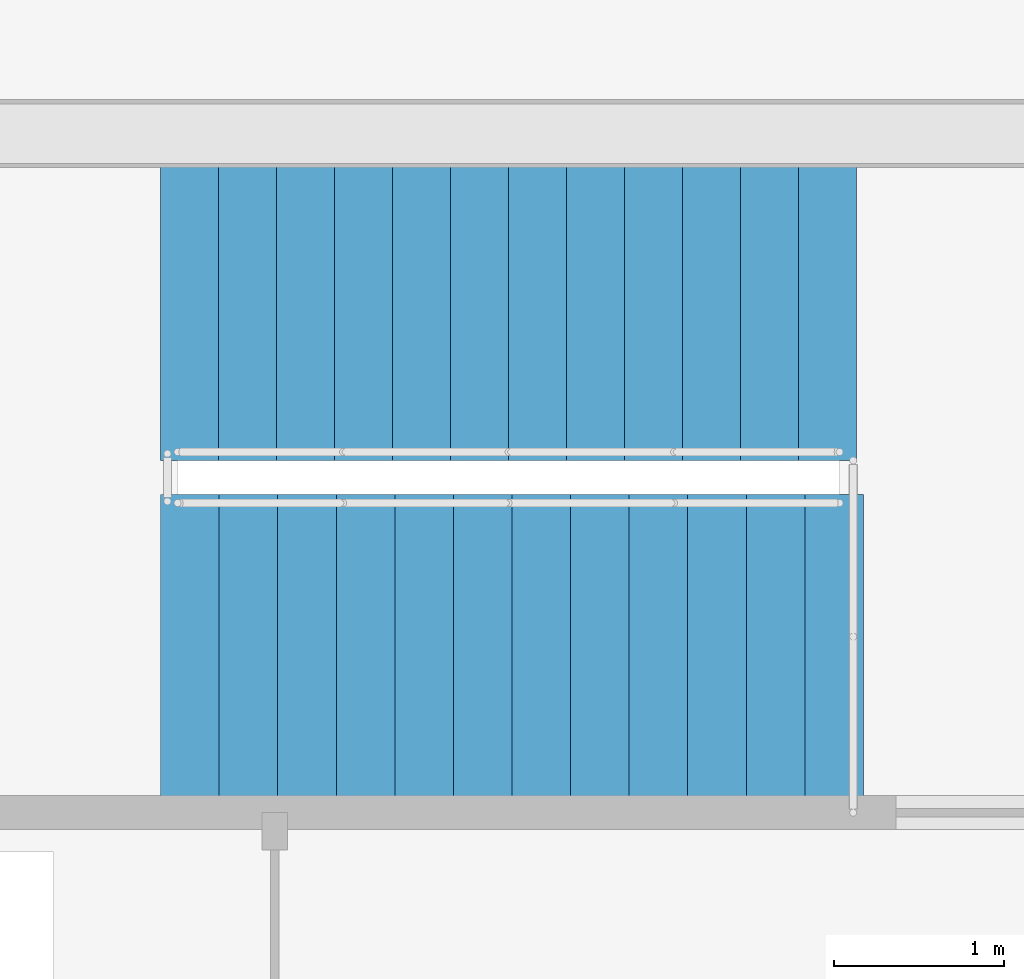
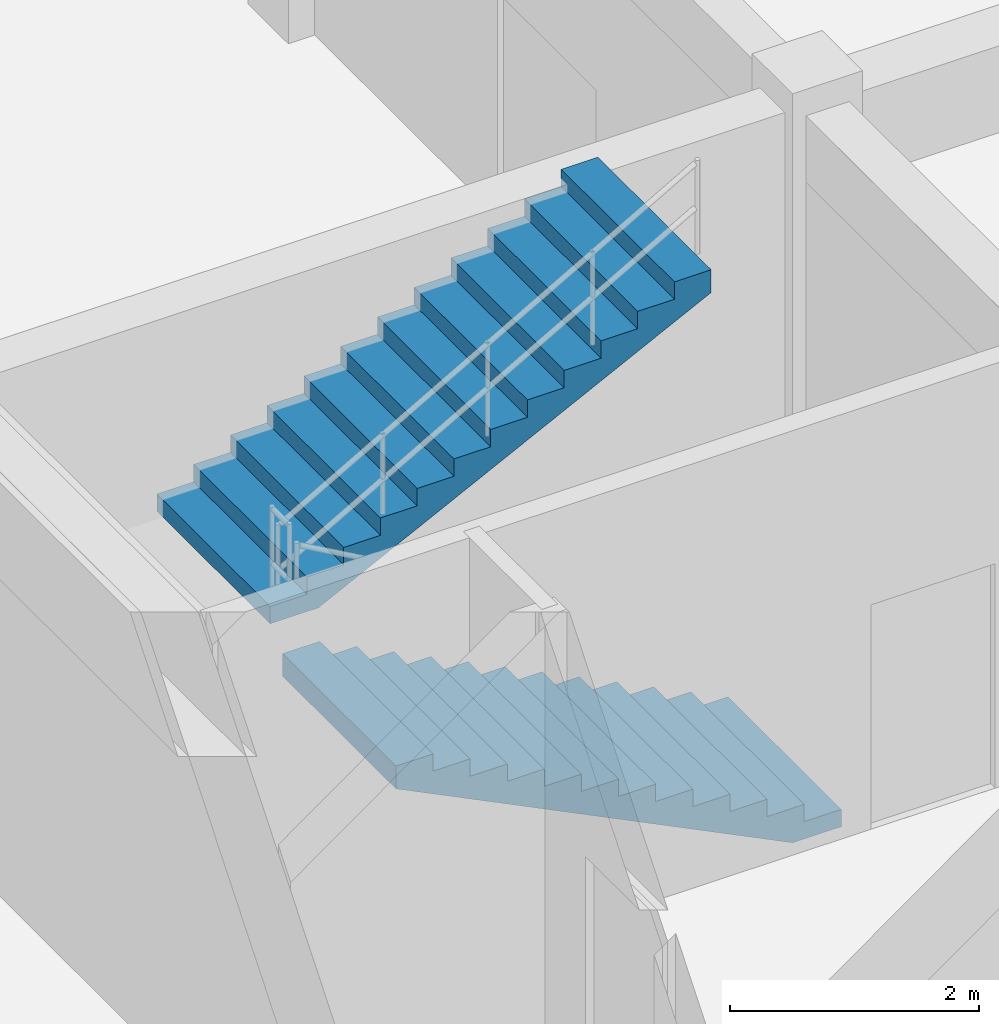
# One storey, part 33 of 40: 2 stair flights, 1 element without a shape of its own.
"""IFC4 building model written with IfcOpenShell, lengths in metres."""

from ifc_helpers import new_model, si_unit, direction, frame, origin, place, context, subcontext, project, spatial, polyline, outline, extrude, material, type_object, element, aggregate, save


model = new_model("IFC4")

# Units and contexts
model_context = context("Model", 3, precision=1e-05, world=origin(), true_north=direction((0.0, 1.0)))
body_context = subcontext(model_context, "Body", "Model", "MODEL_VIEW")
ifc_project = project(units=[si_unit("LENGTHUNIT", "METRE"), si_unit("AREAUNIT", "SQUARE_METRE"), si_unit("VOLUMEUNIT", "CUBIC_METRE"), si_unit("PLANEANGLEUNIT", "RADIAN"), si_unit("MASSUNIT", "GRAM", prefix="KILO")], contexts=[model_context])

# Site, building, storey
site_placement = place(None, origin())
site = spatial("IfcSite", under=ifc_project, at=site_placement, CompositionType="ELEMENT")
building_placement = place(site_placement, origin())
building = spatial("IfcBuilding", under=site, at=building_placement, Name="Vaudrelin Polytechnic", CompositionType="ELEMENT")
storey_placement = place(building_placement, frame((0.0, 0.0, 22.949951171875)))
storey = spatial("IfcBuildingStorey", under=building, at=storey_placement, Name="L05", CompositionType="ELEMENT", Elevation=22.949951171875)

# Stair, stair flights
ifc_material = material(Name="Concrete 35 MPa", Category="concrete")
stair_type = type_object("IfcStairType", Name="STR-ST-CORE", PredefinedType="TWO_STRAIGHT_RUN_STAIR", material=ifc_material)
stair_placement = place(storey_placement, origin())
stair = element("IfcStair", 1, at=stair_placement, inside=storey, type_object=stair_type, Name="Exit stair ST-06-L05", PredefinedType="TWO_STRAIGHT_RUN_STAIR")
stair_flight_type = type_object("IfcStairFlightType", Name="STF-STF-CORE", PredefinedType="STRAIGHT", material=ifc_material)
stair_flight_1_placement = place(storey_placement, frame((151.93994140625, 102.27001953125, 0.0), z_axis=(0.0, 0.0, 1.0), x_axis=(-1.0, 0.0, 0.0)))
stair_flight_1 = element("IfcStairFlight", 2, at=stair_flight_1_placement, type_object=stair_flight_type, Name="ST-06-L05 flight 1", NumberOfRisers=13, NumberOfTreads=12, PredefinedType="STRAIGHT", RiserHeight=0.17, TreadLength=0.34417, context=body_context, shape_type="SweptSolid", body=[
    extrude(outline(polyline([(0.0, 0.0), (0.0, 0.169921875), (0.34423828125, 0.169921875), (0.34423828125, 0.340087890625), (0.688232421875, 0.340087890625), (0.688232421875, 0.510009765625), (1.032470703125, 0.510009765625), (1.032470703125, 0.679931640625), (1.376708984375, 0.679931640625), (1.376708984375, 0.85009765625), (1.720947265625, 0.85009765625), (1.720947265625, 1.02001953125), (2.06494140625, 1.02001953125), (2.06494140625, 1.18994140625), (2.4091796875, 1.18994140625), (2.4091796875, 1.360107421875), (2.75341796875, 1.360107421875), (2.75341796875, 1.530029296875), (3.097412109375, 1.530029296875), (3.097412109375, 1.699951171875), (3.441650390625, 1.699951171875), (3.441650390625, 1.8701171875), (3.785888671875, 1.8701171875), (3.785888671875, 2.0400390625), (4.130126953125, 2.0400390625), (4.130126953125, 2.2099609375), (4.130126953125, 1.81689453125), (0.451416015625, 0.0), (0.0, 0.0)])), frame((0.0, 0.91015625, 0.0), z_axis=(0.0, -1.0, 0.0), x_axis=(1.0, 0.0, 0.0)), (0.0, 0.0, 1.0), 1.820068359375),
])
stair_flight_2_placement = place(storey_placement, frame((147.81005859375, 104.2900390625, 2.2099609375), z_axis=(0.0, 0.0, 1.0), x_axis=(1.0, 0.0, 0.0)))
stair_flight_2 = element("IfcStairFlight", 3, at=stair_flight_2_placement, type_object=stair_flight_type, Name="ST-06-L05 flight 2", NumberOfRisers=13, NumberOfTreads=12, PredefinedType="STRAIGHT", RiserHeight=0.17, TreadLength=0.34083, context=body_context, shape_type="SweptSolid", body=[
    extrude(outline(polyline([(0.0, 0.0), (0.0, 0.169921875), (0.3408203125, 0.169921875), (0.3408203125, 0.340087890625), (0.681640625, 0.340087890625), (0.681640625, 0.510009765625), (1.0224609375, 0.510009765625), (1.0224609375, 0.679931640625), (1.36328125, 0.679931640625), (1.36328125, 0.85009765625), (1.7041015625, 0.85009765625), (1.7041015625, 1.02001953125), (2.044921875, 1.02001953125), (2.044921875, 1.18994140625), (2.3857421875, 1.18994140625), (2.3857421875, 1.360107421875), (2.7265625, 1.360107421875), (2.7265625, 1.530029296875), (3.0673828125, 1.530029296875), (3.0673828125, 1.699951171875), (3.408203125, 1.699951171875), (3.408203125, 1.8701171875), (3.7490234375, 1.8701171875), (3.7490234375, 2.0400390625), (4.08984375, 2.0400390625), (4.08984375, 2.2099609375), (4.08984375, 1.816650390625), (0.447998046875, 0.0), (0.0, 0.0)])), frame((0.0, 0.91015625, 0.0), z_axis=(0.0, -1.0, 0.0), x_axis=(1.0, 0.0, 0.0)), (0.0, 0.0, 1.0), 1.820068359375),
])
aggregate(stair, [stair_flight_1, stair_flight_2])

save(model, "model.ifc")
